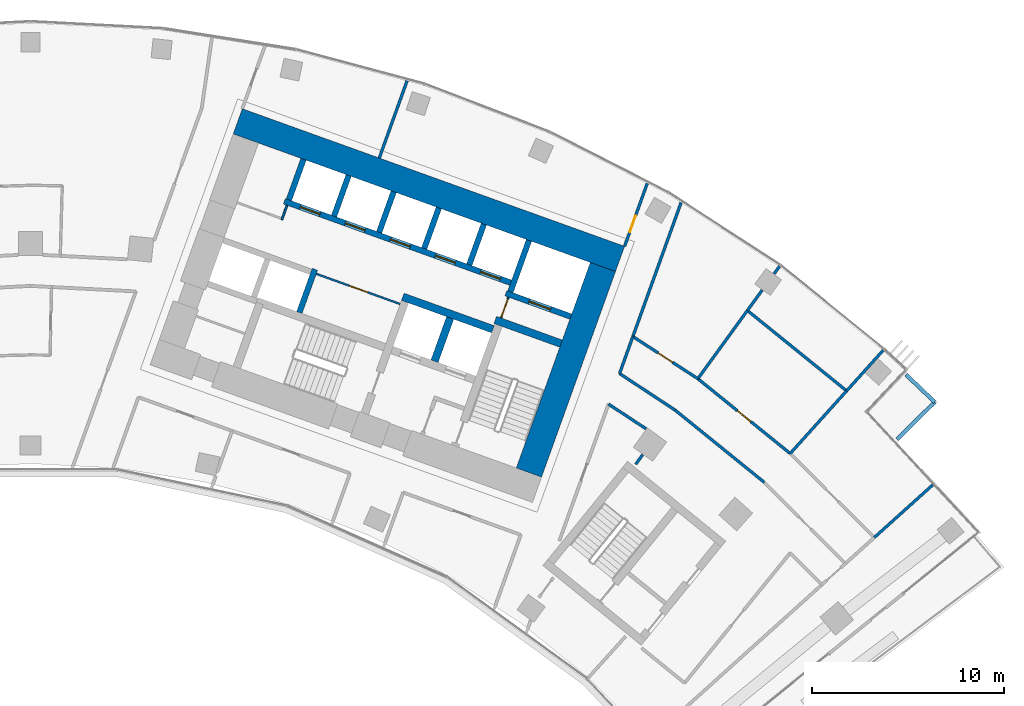
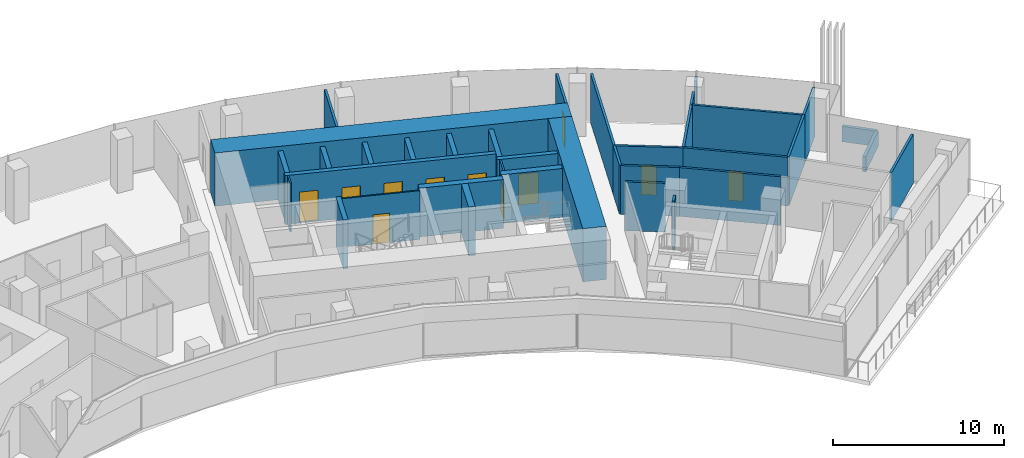
# One storey, part 18 of 21: 36 walls, 11 doors, 11 openings.
"""IFC4 building model written with IfcOpenShell, lengths in metres."""

from ifc_helpers import new_model, si_unit, direction, frame, frame_2d, origin, place, context, subcontext, project, spatial, rectangle, extrude, material, layer, layer_set, type_object, element, fill, save


model = new_model("IFC4")

# Units and contexts
model_context = context("Model", 3, precision=1e-05, world=origin(), true_north=direction((0.0, 1.0)))
body_context = subcontext(model_context, "Body", "Model", "MODEL_VIEW")
ifc_project = project(units=[si_unit("LENGTHUNIT", "METRE"), si_unit("AREAUNIT", "SQUARE_METRE"), si_unit("VOLUMEUNIT", "CUBIC_METRE"), si_unit("PLANEANGLEUNIT", "RADIAN"), si_unit("MASSUNIT", "GRAM", prefix="KILO")], contexts=[model_context])

# Site, building, storey
site_placement = place(None, origin())
site = spatial("IfcSite", under=ifc_project, at=site_placement, CompositionType="ELEMENT")
building_placement = place(site_placement, origin())
building = spatial("IfcBuilding", under=site, at=building_placement, Name="Stone Belt Terrace Tower", CompositionType="ELEMENT")
storey_placement = place(building_placement, frame((0.0, 0.0, 159.199951171875)))
storey = spatial("IfcBuildingStorey", under=building, at=storey_placement, Name="L38", CompositionType="ELEMENT", Elevation=159.199951171875)

# Wall, opening, door
ifc_material_1 = material(Name="Plasterboard partition")
ifc_layer_1 = layer(ifc_material_1, 0.10009765625)
ifc_layer_set_1 = layer_set([ifc_layer_1], Name="Core partition 100")
wall_type_1 = type_object("IfcWallType", Name="Core partition 100", PredefinedType="PARTITIONING", material=ifc_layer_set_1)
wall_1_placement = place(storey_placement, frame((24.555908203125, 51.10400390625, 0.0), z_axis=(0.0, 0.0, 1.0), x_axis=(0.338621735342, 0.94092258999, 0.0)))
wall_1 = element("IfcWall", 1, at=wall_1_placement, inside=storey, type_object=wall_type_1, Name="Core B wall", PredefinedType="PARTITIONING", context=body_context, shape_type="SweptSolid", body=[
    extrude(rectangle(XDim=1.14990234375, YDim=0.10009765625, at=frame_2d((0.574951171875, 0.0))), origin(), (0.0, 0.0, 1.0), 3.47998046875),
])
opening_1_placement = place(wall_1_placement, frame((0.050048828125, 0.0, 0.0)))
opening_1 = element("IfcOpeningElement", 2, at=opening_1_placement, cuts=wall_1, Name="Opening L38-C14", PredefinedType="OPENING", context=body_context, shape_type="SweptSolid", body=[
    extrude(rectangle(XDim=1.0, YDim=2.10009765625, at=frame_2d((0.5, 1.050048828125))), frame((0.0, 0.06005859375, 0.0), z_axis=(0.0, -1.0, 0.0), x_axis=(1.0, 0.0, 0.0)), (0.0, 0.0, 1.0), 0.1201171875),
])
ifc_material_2 = material(Name="Timber door leaf", Category="wood")
door_type_1 = type_object("IfcDoorType", Name="Core room door 1000", OperationType="SINGLE_SWING_LEFT", PredefinedType="DOOR", material=ifc_material_2)
door_1_placement = place(opening_1_placement, origin())
door_1 = element("IfcDoor", 3, at=door_1_placement, inside=storey, type_object=door_type_1, Name="Service lift lobby door core B", OperationType="SINGLE_SWING_LEFT", OverallHeight=2.10009765625, OverallWidth=1.0, PredefinedType="DOOR", context=body_context, shape_type="SweptSolid", body=[
    extrude(rectangle(XDim=1.0, YDim=2.10009765625, at=frame_2d((0.5, 1.050048828125))), frame((0.0, 0.02490234375, 0.0), z_axis=(0.0, -1.0, 0.0), x_axis=(1.0, 0.0, 0.0)), (0.0, 0.0, 1.0), 0.050048828125),
])
fill(opening_1, door_1)

wall_2_placement = place(storey_placement, frame((19.29052734375, 51.829833984375, 0.0), z_axis=(0.0, 0.0, 1.0), x_axis=(-0.940930240745, 0.338600475563, 0.0)))
wall_2 = element("IfcWall", 4, at=wall_2_placement, inside=storey, type_object=wall_type_1, Name="Core B wall", PredefinedType="PARTITIONING", context=body_context, shape_type="SweptSolid", body=[
    extrude(rectangle(XDim=4.64990234375, YDim=0.10009765625, at=frame_2d((2.324951171875, 0.0))), origin(), (0.0, 0.0, 1.0), 3.47998046875),
])
opening_2_placement = place(wall_2_placement, frame((1.800048828125, 0.0, 0.0)))
opening_2 = element("IfcOpeningElement", 5, at=opening_2_placement, cuts=wall_2, Name="Opening L38-C13", PredefinedType="OPENING", context=body_context, shape_type="SweptSolid", body=[
    extrude(rectangle(XDim=1.0, YDim=2.10009765625, at=frame_2d((0.5, 1.050048828125))), frame((0.0, 0.06005859375, 0.0), z_axis=(0.0, -1.0, 0.0), x_axis=(1.0, 0.0, 0.0)), (0.0, 0.0, 1.0), 0.1201171875),
])
door_2_placement = place(opening_2_placement, origin())
door_2 = element("IfcDoor", 6, at=door_2_placement, inside=storey, type_object=door_type_1, Name="Door to Server room core B", OperationType="SINGLE_SWING_LEFT", OverallHeight=2.10009765625, OverallWidth=1.0, PredefinedType="DOOR", context=body_context, shape_type="SweptSolid", body=[
    extrude(rectangle(XDim=1.0, YDim=2.10009765625, at=frame_2d((0.5, 1.050048828125))), frame((0.0, 0.02490234375, 0.0), z_axis=(0.0, -1.0, 0.0), x_axis=(1.0, 0.0, 0.0)), (0.0, 0.0, 1.0), 0.050048828125),
])
fill(opening_2, door_2)

# Walls
wall_3_placement = place(storey_placement, frame((13.115966796875, 56.230712890625, 0.0), z_axis=(0.0, 0.0, 1.0), x_axis=(0.338481684961, 0.940972979923, 0.0)))
element("IfcWall", 7, at=wall_3_placement, inside=storey, type_object=wall_type_1, Name="Core B wall", PredefinedType="PARTITIONING", context=body_context, shape_type="SweptSolid", body=[
    extrude(rectangle(XDim=0.7998046875, YDim=0.10009765625, at=frame_2d((0.39990234375, 0.0))), origin(), (0.0, 0.0, 1.0), 3.47998046875),
])
ifc_material_3 = material(Name="Concrete B80", Category="concrete")
ifc_layer_2 = layer(ifc_material_3, 1.39990234375)
ifc_layer_set_2 = layer_set([ifc_layer_2], Name="Core wall 1400 B80")
wall_type_2 = type_object("IfcWallType", Name="Core wall 1400 B80", PredefinedType="SHEAR", material=ifc_layer_set_2)
wall_4_placement = place(storey_placement, frame((10.81787109375, 61.362060546875, 0.0), z_axis=(0.0, 0.0, 1.0), x_axis=(0.940919704758, -0.338629752382, 0.0)))
element("IfcWall", 8, at=wall_4_placement, inside=storey, type_object=wall_type_2, Name="Core B wall convex L38", PredefinedType="SHEAR", context=body_context, shape_type="SweptSolid", body=[
    extrude(rectangle(XDim=21.199951171875, YDim=1.39990234375, at=frame_2d((10.60009765625, 0.0))), origin(), (0.0, 0.0, 1.0), 3.800048828125),
])
wall_5_placement = place(storey_placement, frame((26.00927734375, 43.03515625, 0.0), z_axis=(0.0, 0.0, 1.0), x_axis=(0.338625431531, 0.940921259788, 0.0)))
element("IfcWall", 9, at=wall_5_placement, inside=storey, type_object=wall_type_2, Name="Core B wall end_b L38", PredefinedType="SHEAR", context=body_context, shape_type="SweptSolid", body=[
    extrude(rectangle(XDim=11.400146484375, YDim=1.39990234375, at=frame_2d((5.7001953125, 0.0))), origin(), (0.0, 0.0, 1.0), 3.800048828125),
])
ifc_layer_3 = layer(ifc_material_3, 0.39990234375)
ifc_layer_set_3 = layer_set([ifc_layer_3], Name="Fire-fighting lift shaft wall 400")
wall_type_3 = type_object("IfcWallType", Name="Fire-fighting lift shaft wall 400", PredefinedType="SHEAR", material=ifc_layer_set_3)
wall_6_placement = place(storey_placement, frame((24.130615234375, 50.512939453125, 0.0), z_axis=(0.0, 0.0, 1.0), x_axis=(-0.94091168377, 0.338652038744, 0.0)))
element("IfcWall", 10, at=wall_6_placement, inside=storey, type_object=wall_type_3, Name="Core B wall", PredefinedType="SHEAR", context=body_context, shape_type="SweptSolid", body=[
    extrude(rectangle(XDim=5.000244140625, YDim=0.39990234375, at=frame_2d((2.5, 0.0))), origin(), (0.0, 0.0, 1.0), 3.47998046875),
])
wall_7_placement = place(storey_placement, frame((21.0859375, 48.845458984375, 0.0), z_axis=(0.0, 0.0, 1.0), x_axis=(0.338629416206, 0.940919825745, 0.0)))
element("IfcWall", 11, at=wall_7_placement, inside=storey, type_object=wall_type_3, Name="Core B wall", PredefinedType="SHEAR", context=body_context, shape_type="SweptSolid", body=[
    extrude(rectangle(XDim=2.400146484375, YDim=0.39990234375, at=frame_2d((1.2001953125, 0.0))), origin(), (0.0, 0.0, 1.0), 3.47998046875),
])

# Wall, opening, door
ifc_layer_4 = layer(ifc_material_3, 0.300048828125)
ifc_layer_set_4 = layer_set([ifc_layer_4], Name="Lift shaft wall 300")
wall_type_4 = type_object("IfcWallType", Name="Lift shaft wall 300", PredefinedType="SHEAR", material=ifc_layer_set_4)
wall_8_placement = place(storey_placement, frame((28.195068359375, 51.17578125, 0.0), z_axis=(0.0, 0.0, 1.0), x_axis=(-0.940901243567, 0.338681044427, 0.0)))
wall_8 = element("IfcWall", 12, at=wall_8_placement, inside=storey, type_object=wall_type_4, Name="Core B wall", PredefinedType="SHEAR", context=body_context, shape_type="SweptSolid", body=[
    extrude(rectangle(XDim=3.599853515625, YDim=0.300048828125, at=frame_2d((1.7998046875, 0.0))), origin(), (0.0, 0.0, 1.0), 3.47998046875),
])
opening_3_placement = place(wall_8_placement, frame((1.1201171875, 0.0, 0.0)))
opening_3 = element("IfcOpeningElement", 13, at=opening_3_placement, cuts=wall_8, Name="Opening L38-LD16", PredefinedType="OPENING", context=body_context, shape_type="SweptSolid", body=[
    extrude(rectangle(XDim=1.199951171875, YDim=2.199951171875, at=frame_2d((0.60009765625, 1.10009765625))), frame((0.0, 0.159912109375, 0.0), z_axis=(0.0, -1.0, 0.0), x_axis=(1.0, 0.0, 0.0)), (0.0, 0.0, 1.0), 0.320068359375),
])
ifc_material_4 = material(Name="Stainless steel door leaf", Category="steel")
door_type_2 = type_object("IfcDoorType", Name="Landing door 1200", OperationType="SLIDING_TO_LEFT", PredefinedType="DOOR", material=ifc_material_4)
door_3_placement = place(opening_3_placement, origin())
door_3 = element("IfcDoor", 14, at=door_3_placement, inside=storey, type_object=door_type_2, Name="Landing door SV1 core B", OperationType="SLIDING_TO_LEFT", OverallHeight=2.199951171875, OverallWidth=1.199951171875, PredefinedType="DOOR", context=body_context, shape_type="SweptSolid", body=[
    extrude(rectangle(XDim=1.199951171875, YDim=2.199951171875, at=frame_2d((0.60009765625, 1.10009765625))), frame((0.0, 0.02490234375, 0.0), z_axis=(0.0, -1.0, 0.0), x_axis=(1.0, 0.0, 0.0)), (0.0, 0.0, 1.0), 0.050048828125),
])
fill(opening_3, door_3)

# Wall
wall_9_placement = place(storey_placement, frame((25.046875, 52.46826171875, 0.0), z_axis=(0.0, 0.0, 1.0), x_axis=(0.338549588058, 0.940948551423, 0.0)))
element("IfcWall", 15, at=wall_9_placement, inside=storey, type_object=wall_type_4, Name="Core B wall", PredefinedType="SHEAR", context=body_context, shape_type="SweptSolid", body=[
    extrude(rectangle(XDim=2.849853515625, YDim=0.300048828125, at=frame_2d((1.4248046875, 0.0))), origin(), (0.0, 0.0, 1.0), 3.47998046875),
])

# Wall, openings, doors
wall_10_placement = place(storey_placement, frame((25.05810546875, 52.9423828125, 0.0), z_axis=(0.0, 0.0, 1.0), x_axis=(-0.940921381676, 0.338625092847, 0.0)))
wall_10 = element("IfcWall", 16, at=wall_10_placement, inside=storey, type_object=wall_type_4, Name="Core B wall", PredefinedType="SHEAR", context=body_context, shape_type="SweptSolid", body=[
    extrude(rectangle(XDim=12.550048828125, YDim=0.300048828125, at=frame_2d((6.27490234375, 0.0))), origin(), (0.0, 0.0, 1.0), 3.47998046875),
])
opening_4_placement = place(wall_10_placement, frame((0.570068359375, 0.0, 0.0)))
opening_4 = element("IfcOpeningElement", 17, at=opening_4_placement, cuts=wall_10, Name="Opening L38-LD09", PredefinedType="OPENING", context=body_context, shape_type="SweptSolid", body=[
    extrude(rectangle(XDim=1.10009765625, YDim=2.199951171875, at=frame_2d((0.550048828125, 1.10009765625))), frame((0.0, 0.159912109375, 0.0), z_axis=(0.0, -1.0, 0.0), x_axis=(1.0, 0.0, 0.0)), (0.0, 0.0, 1.0), 0.320068359375),
])
opening_5_placement = place(wall_10_placement, frame((3.070068359375, 0.0, 0.0)))
opening_5 = element("IfcOpeningElement", 18, at=opening_5_placement, cuts=wall_10, Name="Opening L38-LD10", PredefinedType="OPENING", context=body_context, shape_type="SweptSolid", body=[
    extrude(rectangle(XDim=1.10009765625, YDim=2.199951171875, at=frame_2d((0.550048828125, 1.10009765625))), frame((0.0, 0.159912109375, 0.0), z_axis=(0.0, -1.0, 0.0), x_axis=(1.0, 0.0, 0.0)), (0.0, 0.0, 1.0), 0.320068359375),
])
opening_6_placement = place(wall_10_placement, frame((5.570068359375, 0.0, 0.0)))
opening_6 = element("IfcOpeningElement", 19, at=opening_6_placement, cuts=wall_10, Name="Opening L38-LD11", PredefinedType="OPENING", context=body_context, shape_type="SweptSolid", body=[
    extrude(rectangle(XDim=1.10009765625, YDim=2.199951171875, at=frame_2d((0.550048828125, 1.10009765625))), frame((0.0, 0.159912109375, 0.0), z_axis=(0.0, -1.0, 0.0), x_axis=(1.0, 0.0, 0.0)), (0.0, 0.0, 1.0), 0.320068359375),
])
opening_7_placement = place(wall_10_placement, frame((8.070068359375, 0.0, 0.0)))
opening_7 = element("IfcOpeningElement", 20, at=opening_7_placement, cuts=wall_10, Name="Opening L38-LD12", PredefinedType="OPENING", context=body_context, shape_type="SweptSolid", body=[
    extrude(rectangle(XDim=1.10009765625, YDim=2.199951171875, at=frame_2d((0.550048828125, 1.10009765625))), frame((0.0, 0.159912109375, 0.0), z_axis=(0.0, -1.0, 0.0), x_axis=(1.0, 0.0, 0.0)), (0.0, 0.0, 1.0), 0.320068359375),
])
opening_8_placement = place(wall_10_placement, frame((10.570068359375, 0.0, 0.0)))
opening_8 = element("IfcOpeningElement", 21, at=opening_8_placement, cuts=wall_10, Name="Opening L38-LD13", PredefinedType="OPENING", context=body_context, shape_type="SweptSolid", body=[
    extrude(rectangle(XDim=1.10009765625, YDim=2.199951171875, at=frame_2d((0.550048828125, 1.10009765625))), frame((0.0, 0.159912109375, 0.0), z_axis=(0.0, -1.0, 0.0), x_axis=(1.0, 0.0, 0.0)), (0.0, 0.0, 1.0), 0.320068359375),
])
door_type_3 = type_object("IfcDoorType", Name="Landing door 1100", OperationType="SLIDING_TO_LEFT", PredefinedType="DOOR", material=ifc_material_4)
door_4_placement = place(opening_4_placement, origin())
door_4 = element("IfcDoor", 22, at=door_4_placement, inside=storey, type_object=door_type_3, Name="Landing door MR1 core B", OperationType="SLIDING_TO_LEFT", OverallHeight=2.199951171875, OverallWidth=1.10009765625, PredefinedType="DOOR", context=body_context, shape_type="SweptSolid", body=[
    extrude(rectangle(XDim=1.10009765625, YDim=2.199951171875, at=frame_2d((0.550048828125, 1.10009765625))), frame((0.0, 0.02490234375, 0.0), z_axis=(0.0, -1.0, 0.0), x_axis=(1.0, 0.0, 0.0)), (0.0, 0.0, 1.0), 0.050048828125),
])
fill(opening_4, door_4)
door_5_placement = place(opening_5_placement, origin())
door_5 = element("IfcDoor", 23, at=door_5_placement, inside=storey, type_object=door_type_3, Name="Landing door MR2 core B", OperationType="SLIDING_TO_LEFT", OverallHeight=2.199951171875, OverallWidth=1.10009765625, PredefinedType="DOOR", context=body_context, shape_type="SweptSolid", body=[
    extrude(rectangle(XDim=1.10009765625, YDim=2.199951171875, at=frame_2d((0.550048828125, 1.10009765625))), frame((0.0, 0.02490234375, 0.0), z_axis=(0.0, -1.0, 0.0), x_axis=(1.0, 0.0, 0.0)), (0.0, 0.0, 1.0), 0.050048828125),
])
fill(opening_5, door_5)
door_6_placement = place(opening_6_placement, origin())
door_6 = element("IfcDoor", 24, at=door_6_placement, inside=storey, type_object=door_type_3, Name="Landing door MR3 core B", OperationType="SLIDING_TO_LEFT", OverallHeight=2.199951171875, OverallWidth=1.10009765625, PredefinedType="DOOR", context=body_context, shape_type="SweptSolid", body=[
    extrude(rectangle(XDim=1.10009765625, YDim=2.199951171875, at=frame_2d((0.550048828125, 1.10009765625))), frame((0.0, 0.02490234375, 0.0), z_axis=(0.0, -1.0, 0.0), x_axis=(1.0, 0.0, 0.0)), (0.0, 0.0, 1.0), 0.050048828125),
])
fill(opening_6, door_6)
door_7_placement = place(opening_7_placement, origin())
door_7 = element("IfcDoor", 25, at=door_7_placement, inside=storey, type_object=door_type_3, Name="Landing door MR4 core B", OperationType="SLIDING_TO_LEFT", OverallHeight=2.199951171875, OverallWidth=1.10009765625, PredefinedType="DOOR", context=body_context, shape_type="SweptSolid", body=[
    extrude(rectangle(XDim=1.10009765625, YDim=2.199951171875, at=frame_2d((0.550048828125, 1.10009765625))), frame((0.0, 0.02490234375, 0.0), z_axis=(0.0, -1.0, 0.0), x_axis=(1.0, 0.0, 0.0)), (0.0, 0.0, 1.0), 0.050048828125),
])
fill(opening_7, door_7)
door_8_placement = place(opening_8_placement, origin())
door_8 = element("IfcDoor", 26, at=door_8_placement, inside=storey, type_object=door_type_3, Name="Landing door MR5 core B", OperationType="SLIDING_TO_LEFT", OverallHeight=2.199951171875, OverallWidth=1.10009765625, PredefinedType="DOOR", context=body_context, shape_type="SweptSolid", body=[
    extrude(rectangle(XDim=1.10009765625, YDim=2.199951171875, at=frame_2d((0.550048828125, 1.10009765625))), frame((0.0, 0.02490234375, 0.0), z_axis=(0.0, -1.0, 0.0), x_axis=(1.0, 0.0, 0.0)), (0.0, 0.0, 1.0), 0.050048828125),
])
fill(opening_8, door_8)

# Walls
wall_11_placement = place(storey_placement, frame((22.897705078125, 53.87939453125, 0.0), z_axis=(0.0, 0.0, 1.0), x_axis=(0.338535034312, 0.940953787677, 0.0)))
element("IfcWall", 27, at=wall_11_placement, inside=storey, type_object=wall_type_4, Name="Core B wall", PredefinedType="SHEAR", context=body_context, shape_type="SweptSolid", body=[
    extrude(rectangle(XDim=2.25, YDim=0.300048828125, at=frame_2d((1.125, 0.0))), origin(), (0.0, 0.0, 1.0), 3.47998046875),
])
wall_12_placement = place(storey_placement, frame((20.54541015625, 54.72607421875, 0.0), z_axis=(0.0, 0.0, 1.0), x_axis=(0.338569601369, 0.940941350472, 0.0)))
element("IfcWall", 28, at=wall_12_placement, inside=storey, type_object=wall_type_4, Name="Core B wall", PredefinedType="SHEAR", context=body_context, shape_type="SweptSolid", body=[
    extrude(rectangle(XDim=2.249755859375, YDim=0.300048828125, at=frame_2d((1.125, 0.0))), origin(), (0.0, 0.0, 1.0), 3.47998046875),
])
wall_13_placement = place(storey_placement, frame((18.193115234375, 55.572509765625, 0.0), z_axis=(0.0, 0.0, 1.0), x_axis=(0.338535034312, 0.940953787677, 0.0)))
element("IfcWall", 29, at=wall_13_placement, inside=storey, type_object=wall_type_4, Name="Core B wall", PredefinedType="SHEAR", context=body_context, shape_type="SweptSolid", body=[
    extrude(rectangle(XDim=2.25, YDim=0.300048828125, at=frame_2d((1.125, 0.0))), origin(), (0.0, 0.0, 1.0), 3.47998046875),
])
wall_14_placement = place(storey_placement, frame((14.029052734375, 51.38525390625, 0.0), z_axis=(0.0, 0.0, 1.0), x_axis=(0.338661829791, 0.940908159728, 0.0)))
element("IfcWall", 30, at=wall_14_placement, inside=storey, type_object=wall_type_4, Name="Core B wall", PredefinedType="SHEAR", context=body_context, shape_type="SweptSolid", body=[
    extrude(rectangle(XDim=2.39990234375, YDim=0.300048828125, at=frame_2d((1.199951171875, 0.0))), origin(), (0.0, 0.0, 1.0), 3.47998046875),
])
wall_15_placement = place(storey_placement, frame((15.8408203125, 56.419189453125, 0.0), z_axis=(0.0, 0.0, 1.0), x_axis=(0.338569601369, 0.940941350472, 0.0)))
element("IfcWall", 31, at=wall_15_placement, inside=storey, type_object=wall_type_4, Name="Core B wall", PredefinedType="SHEAR", context=body_context, shape_type="SweptSolid", body=[
    extrude(rectangle(XDim=2.249755859375, YDim=0.300048828125, at=frame_2d((1.125, 0.0))), origin(), (0.0, 0.0, 1.0), 3.47998046875),
])
wall_16_placement = place(storey_placement, frame((13.48828125, 57.265625, 0.0), z_axis=(0.0, 0.0, 1.0), x_axis=(0.338631098537, 0.940919220286, 0.0)))
element("IfcWall", 32, at=wall_16_placement, inside=storey, type_object=wall_type_4, Name="Core B wall", PredefinedType="SHEAR", context=body_context, shape_type="SweptSolid", body=[
    extrude(rectangle(XDim=2.250244140625, YDim=0.300048828125, at=frame_2d((1.125, 0.0))), origin(), (0.0, 0.0, 1.0), 3.47998046875),
])

# Wall, opening, door
ifc_material_5 = material(Name="Gypsum board partition")
ifc_layer_5 = layer(ifc_material_5, 0.14990234375)
ifc_layer_set_5 = layer_set([ifc_layer_5], Name="PARTITION 150 EI 60")
wall_type_5 = type_object("IfcWallType", Name="PARTITION 150 EI 60", PredefinedType="PARTITIONING", material=ifc_layer_set_5)
wall_17_placement = place(storey_placement, frame((31.001953125, 54.842041015625, 0.0), z_axis=(0.0, 0.0, 1.0), x_axis=(0.338662585219, 0.940907887826, 0.0)))
wall_17 = element("IfcWall", 33, at=wall_17_placement, inside=storey, type_object=wall_type_5, Name="L38/wall/i028", PredefinedType="PARTITIONING", context=body_context, shape_type="SweptSolid", body=[
    extrude(rectangle(XDim=3.49560546875, YDim=0.14990234375, at=frame_2d((1.747802734375, 0.0))), origin(), (0.0, 0.0, 1.0), 3.47998046875),
])
opening_9_placement = place(wall_17_placement, frame((0.798828125, 0.0, 0.0)))
opening_9 = element("IfcOpeningElement", 34, at=opening_9_placement, cuts=wall_17, Name="Opening D-C2-11", PredefinedType="OPENING", context=body_context, shape_type="SweptSolid", body=[
    extrude(rectangle(XDim=0.89990234375, YDim=2.10009765625, at=frame_2d((0.449951171875, 1.050048828125))), frame((0.0, 0.0849609375, 0.0), z_axis=(0.0, -1.0, 0.0), x_axis=(1.0, 0.0, 0.0)), (0.0, 0.0, 1.0), 0.169921875),
])
door_type_4 = type_object("IfcDoorType", Name="OFFICE DOOR 900 X 2100", OperationType="NOTDEFINED", PredefinedType="DOOR", material=ifc_material_2)
door_9_placement = place(opening_9_placement, origin())
door_9 = element("IfcDoor", 35, at=door_9_placement, inside=storey, type_object=door_type_4, Name="L38/door/i11", OperationType="SINGLE_SWING_LEFT", OverallHeight=2.10009765625, OverallWidth=0.89990234375, PredefinedType="DOOR", context=body_context, shape_type="SweptSolid", body=[
    extrude(rectangle(XDim=0.89990234375, YDim=2.10009765625, at=frame_2d((0.449951171875, 1.050048828125))), frame((0.0, 0.02490234375, 0.0), z_axis=(0.0, -1.0, 0.0), x_axis=(1.0, 0.0, 0.0)), (0.0, 0.0, 1.0), 0.050048828125),
])
fill(opening_9, door_9)

# Walls
wall_18_placement = place(storey_placement, frame((31.43603515625, 50.139892578125, 0.0), z_axis=(0.0, 0.0, 1.0), x_axis=(-0.338522672426, -0.940958235127, 0.0)))
element("IfcWall", 36, at=wall_18_placement, inside=storey, type_object=wall_type_5, Name="L38/wall/i032", PredefinedType="PARTITIONING", context=body_context, shape_type="SweptSolid", body=[
    extrude(rectangle(XDim=2.064697265625, YDim=0.14990234375, at=frame_2d((1.0322265625, 0.0))), origin(), (0.0, 0.0, 1.0), 3.47998046875),
])
wall_19_placement = place(storey_placement, frame((33.951904296875, 57.131103515625, 0.0), z_axis=(0.0, 0.0, 1.0), x_axis=(-0.338585885873, -0.940935490822, 0.0)))
element("IfcWall", 37, at=wall_19_placement, inside=storey, type_object=wall_type_5, Name="L38/wall/i033", PredefinedType="PARTITIONING", context=body_context, shape_type="SweptSolid", body=[
    extrude(rectangle(XDim=7.44287109375, YDim=0.14990234375, at=frame_2d((3.721435546875, 0.0))), origin(), (0.0, 0.0, 1.0), 3.47998046875),
])
wall_20_placement = place(storey_placement, frame((19.65478515625, 63.485107421875, 0.0), z_axis=(0.0, 0.0, 1.0), x_axis=(-0.338693268504, -0.940896843373, 0.0)))
element("IfcWall", 38, at=wall_20_placement, inside=storey, type_object=wall_type_5, Name="L38/wall/i041", PredefinedType="PARTITIONING", context=body_context, shape_type="SweptSolid", body=[
    extrude(rectangle(XDim=4.28955078125, YDim=0.14990234375, at=frame_2d((2.144775390625, 0.0))), origin(), (0.0, 0.0, 1.0), 3.47998046875),
])
wall_21_placement = place(storey_placement, frame((44.02490234375, 39.64111328125, 0.0), z_axis=(0.0, 0.0, 1.0), x_axis=(0.743235201661, 0.669030219805, 0.0)))
element("IfcWall", 39, at=wall_21_placement, inside=storey, type_object=wall_type_5, Name="L38/wall/i064", PredefinedType="PARTITIONING", context=body_context, shape_type="SweptSolid", body=[
    extrude(rectangle(XDim=4.119140625, YDim=0.14990234375, at=frame_2d((2.0595703125, 0.0))), origin(), (0.0, 0.0, 1.0), 3.47998046875),
])
wall_22_placement = place(storey_placement, frame((31.580078125, 43.466064453125, 0.0), z_axis=(0.0, 0.0, 1.0), x_axis=(0.58798371838, 0.808872763121, 0.0)))
element("IfcWall", 40, at=wall_22_placement, inside=storey, type_object=wall_type_5, Name="L38/wall/i065", PredefinedType="PARTITIONING", context=body_context, shape_type="SweptSolid", body=[
    extrude(rectangle(XDim=0.617919921875, YDim=0.14990234375, at=frame_2d((0.30908203125, 0.0))), origin(), (0.0, 0.0, 1.0), 3.47998046875),
])
wall_23_placement = place(storey_placement, frame((32.1181640625, 45.321044921875, 0.0), z_axis=(0.0, 0.0, 1.0), x_axis=(-0.835424653074, 0.549604993641, 0.0)))
element("IfcWall", 41, at=wall_23_placement, inside=storey, type_object=wall_type_5, Name="L38/wall/i066", PredefinedType="PARTITIONING", context=body_context, shape_type="SweptSolid", body=[
    extrude(rectangle(XDim=2.337890625, YDim=0.14990234375, at=frame_2d((1.1689453125, 0.0))), origin(), (0.0, 0.0, 1.0), 3.47998046875),
])
wall_24_placement = place(storey_placement, frame((30.739013671875, 48.202880859375, 0.0), z_axis=(0.0, 0.0, 1.0), x_axis=(0.835274160171, -0.549833681535, 0.0)))
element("IfcWall", 42, at=wall_24_placement, inside=storey, type_object=wall_type_5, Name="L38/wall/i068", PredefinedType="PARTITIONING", context=body_context, shape_type="SweptSolid", body=[
    extrude(rectangle(XDim=3.46826171875, YDim=0.14990234375, at=frame_2d((1.734130859375, 0.0))), origin(), (0.0, 0.0, 1.0), 3.47998046875),
])
wall_25_placement = place(storey_placement, frame((33.635986328125, 46.2958984375, 0.0), z_axis=(0.0, 0.0, 1.0), x_axis=(0.77714422733, -0.629322532513, 0.0)))
element("IfcWall", 43, at=wall_25_placement, inside=storey, type_object=wall_type_5, Name="L38/wall/i069", PredefinedType="PARTITIONING", context=body_context, shape_type="SweptSolid", body=[
    extrude(rectangle(XDim=5.98876953125, YDim=0.14990234375, at=frame_2d((2.994384765625, 0.0))), origin(), (0.0, 0.0, 1.0), 3.47998046875),
])

# Wall, opening, door
wall_26_placement = place(storey_placement, frame((31.43408203125, 50.134033203125, 0.0), z_axis=(0.0, 0.0, 1.0), x_axis=(0.838660143757, -0.544655086521, 0.0)))
wall_26 = element("IfcWall", 44, at=wall_26_placement, inside=storey, type_object=wall_type_5, Name="L38/wall/i074", PredefinedType="PARTITIONING", context=body_context, shape_type="SweptSolid", body=[
    extrude(rectangle(XDim=4.043212890625, YDim=0.14990234375, at=frame_2d((2.021484375, 0.0))), origin(), (0.0, 0.0, 1.0), 3.47998046875),
])
opening_10_placement = place(wall_26_placement, frame((1.571533203125, 0.0, 0.0)))
opening_10 = element("IfcOpeningElement", 45, at=opening_10_placement, cuts=wall_26, Name="Opening D-C2-24", PredefinedType="OPENING", context=body_context, shape_type="SweptSolid", body=[
    extrude(rectangle(XDim=0.89990234375, YDim=2.10009765625, at=frame_2d((0.449951171875, 1.050048828125))), frame((0.0, 0.0849609375, 0.0), z_axis=(0.0, -1.0, 0.0), x_axis=(1.0, 0.0, 0.0)), (0.0, 0.0, 1.0), 0.169921875),
])
door_10_placement = place(opening_10_placement, origin())
door_10 = element("IfcDoor", 46, at=door_10_placement, inside=storey, type_object=door_type_4, Name="L38/door/i24", OperationType="SINGLE_SWING_RIGHT", OverallHeight=2.10009765625, OverallWidth=0.89990234375, PredefinedType="DOOR", context=body_context, shape_type="SweptSolid", body=[
    extrude(rectangle(XDim=0.89990234375, YDim=2.10009765625, at=frame_2d((0.449951171875, 1.050048828125))), frame((0.0, 0.02490234375, 0.0), z_axis=(0.0, -1.0, 0.0), x_axis=(1.0, 0.0, 0.0)), (0.0, 0.0, 1.0), 0.050048828125),
])
fill(opening_10, door_10)

wall_27_placement = place(storey_placement, frame((34.824951171875, 47.931884765625, 0.0), z_axis=(0.0, 0.0, 1.0), x_axis=(0.777190769916, -0.629265053184, 0.0)))
wall_27 = element("IfcWall", 47, at=wall_27_placement, inside=storey, type_object=wall_type_5, Name="L38/wall/i075", PredefinedType="PARTITIONING", context=body_context, shape_type="SweptSolid", body=[
    extrude(rectangle(XDim=6.20068359375, YDim=0.14990234375, at=frame_2d((3.100341796875, 0.0))), origin(), (0.0, 0.0, 1.0), 3.47998046875),
])
opening_11_placement = place(wall_27_placement, frame((2.650390625, 0.0, 0.0)))
opening_11 = element("IfcOpeningElement", 48, at=opening_11_placement, cuts=wall_27, Name="Opening D-C2-25", PredefinedType="OPENING", context=body_context, shape_type="SweptSolid", body=[
    extrude(rectangle(XDim=0.89990234375, YDim=2.10009765625, at=frame_2d((0.449951171875, 1.050048828125))), frame((0.0, 0.0849609375, 0.0), z_axis=(0.0, -1.0, 0.0), x_axis=(1.0, 0.0, 0.0)), (0.0, 0.0, 1.0), 0.169921875),
])
door_11_placement = place(opening_11_placement, origin())
door_11 = element("IfcDoor", 49, at=door_11_placement, inside=storey, type_object=door_type_4, Name="L38/door/i25", OperationType="SINGLE_SWING_RIGHT", OverallHeight=2.10009765625, OverallWidth=0.89990234375, PredefinedType="DOOR", context=body_context, shape_type="SweptSolid", body=[
    extrude(rectangle(XDim=0.89990234375, YDim=2.10009765625, at=frame_2d((0.449951171875, 1.050048828125))), frame((0.0, 0.02490234375, 0.0), z_axis=(0.0, -1.0, 0.0), x_axis=(1.0, 0.0, 0.0)), (0.0, 0.0, 1.0), 0.050048828125),
])
fill(opening_11, door_11)

# Walls
wall_28_placement = place(storey_placement, frame((37.4140625, 51.4970703125, 0.0), z_axis=(0.0, 0.0, 1.0), x_axis=(-0.587614770506, -0.809140829203, 0.0)))
element("IfcWall", 50, at=wall_28_placement, inside=storey, type_object=wall_type_5, Name="L38/wall/i077", PredefinedType="PARTITIONING", context=body_context, shape_type="SweptSolid", body=[
    extrude(rectangle(XDim=4.40625, YDim=0.14990234375, at=frame_2d((2.203125, 0.0))), origin(), (0.0, 0.0, 1.0), 3.47998046875),
])
wall_29_placement = place(storey_placement, frame((39.087890625, 53.7998046875, 0.0), z_axis=(0.0, 0.0, 1.0), x_axis=(-0.588171697675, -0.808736084303, 0.0)))
element("IfcWall", 51, at=wall_29_placement, inside=storey, type_object=wall_type_5, Name="L38/wall/i078", PredefinedType="PARTITIONING", context=body_context, shape_type="SweptSolid", body=[
    extrude(rectangle(XDim=0.4814453125, YDim=0.14990234375, at=frame_2d((0.24072265625, 0.0))), origin(), (0.0, 0.0, 1.0), 3.47998046875),
])
wall_30_placement = place(storey_placement, frame((38.181640625, 52.552978515625, 0.0), z_axis=(0.0, 0.0, 1.0), x_axis=(-0.587896246037, -0.808936341065, 0.0)))
element("IfcWall", 52, at=wall_30_placement, inside=storey, type_object=wall_type_5, Name="L38/wall/i079", PredefinedType="PARTITIONING", context=body_context, shape_type="SweptSolid", body=[
    extrude(rectangle(XDim=1.317626953125, YDim=0.14990234375, at=frame_2d((0.65869140625, 0.0))), origin(), (0.0, 0.0, 1.0), 3.47998046875),
])
wall_31_placement = place(storey_placement, frame((37.410888671875, 51.491943359375, 0.0), z_axis=(0.0, 0.0, 1.0), x_axis=(0.777100621569, -0.629376377025, 0.0)))
element("IfcWall", 53, at=wall_31_placement, inside=storey, type_object=wall_type_5, Name="L38/wall/i080", PredefinedType="PARTITIONING", context=body_context, shape_type="SweptSolid", body=[
    extrude(rectangle(XDim=6.661865234375, YDim=0.14990234375, at=frame_2d((3.3310546875, 0.0))), origin(), (0.0, 0.0, 1.0), 3.47998046875),
])
wall_32_placement = place(storey_placement, frame((42.587890625, 47.299072265625, 0.0), z_axis=(0.0, 0.0, 1.0), x_axis=(-0.669179331895, -0.743100949915, 0.0)))
element("IfcWall", 54, at=wall_32_placement, inside=storey, type_object=wall_type_5, Name="L38/wall/i081", PredefinedType="PARTITIONING", context=body_context, shape_type="SweptSolid", body=[
    extrude(rectangle(XDim=4.399169921875, YDim=0.14990234375, at=frame_2d((2.19970703125, 0.0))), origin(), (0.0, 0.0, 1.0), 3.47998046875),
])
wall_33_placement = place(storey_placement, frame((44.496826171875, 49.41943359375, 0.0), z_axis=(0.0, 0.0, 1.0), x_axis=(-0.669082915731, -0.743187763541, 0.0)))
element("IfcWall", 55, at=wall_33_placement, inside=storey, type_object=wall_type_5, Name="L38/wall/i082", PredefinedType="PARTITIONING", context=body_context, shape_type="SweptSolid", body=[
    extrude(rectangle(XDim=2.85302734375, YDim=0.14990234375, at=frame_2d((1.426513671875, 0.0))), origin(), (0.0, 0.0, 1.0), 3.47998046875),
])
ifc_material_6 = material(Name="Precast concrete C40/50", Category="concrete")
ifc_layer_6 = layer(ifc_material_6, 0.199951171875)
ifc_layer_set_6 = layer_set([ifc_layer_6], Name="Roof parapet 200 x 1100")
wall_type_6 = type_object("IfcWallType", Name="Roof parapet 200 x 1100", PredefinedType="PARAPET", material=ifc_layer_set_6)
wall_34_placement = place(storey_placement, frame((47.185302734375, 46.713134765625, 0.0), z_axis=(0.0, 0.0, 1.0), x_axis=(-0.723127230424, 0.690714853336, 0.0)))
element("IfcWall", 56, at=wall_34_placement, inside=storey, type_object=wall_type_6, Name="PARAPET L38", PredefinedType="PARAPET", context=body_context, shape_type="SweptSolid", body=[
    extrude(rectangle(XDim=2.06396484375, YDim=0.199951171875, at=frame_2d((1.031982421875, 0.0))), origin(), (0.0, 0.0, 1.0), 1.10009765625),
])
wall_35_placement = place(storey_placement, frame((45.222412109375, 44.775634765625, 0.0), z_axis=(0.0, 0.0, 1.0), x_axis=(0.711694800314, 0.702488797922, 0.0)))
element("IfcWall", 57, at=wall_35_placement, inside=storey, type_object=wall_type_6, Name="PARAPET L38", PredefinedType="PARAPET", context=body_context, shape_type="SweptSolid", body=[
    extrude(rectangle(XDim=2.758056640625, YDim=0.199951171875, at=frame_2d((1.37890625, 0.0))), origin(), (0.0, 0.0, 1.0), 1.10009765625),
])
ifc_layer_7 = layer(ifc_material_3, 0.39990234375)
ifc_layer_set_7 = layer_set([ifc_layer_7], Name="Stair enclosure wall 400")
wall_type_7 = type_object("IfcWallType", Name="Stair enclosure wall 400", PredefinedType="SHEAR", material=ifc_layer_set_7)
wall_36_placement = place(storey_placement, frame((27.687255859375, 49.764404296875, 0.0), z_axis=(0.0, 0.0, 1.0), x_axis=(-0.940918954884, 0.338631835981, 0.0)))
element("IfcWall", 58, at=wall_36_placement, inside=storey, type_object=wall_type_7, Name="Core B wall", PredefinedType="SHEAR", context=body_context, shape_type="SweptSolid", body=[
    extrude(rectangle(XDim=3.650146484375, YDim=0.39990234375, at=frame_2d((1.8251953125, 0.0))), origin(), (0.0, 0.0, 1.0), 3.47998046875),
])

save(model, "model.ifc")
